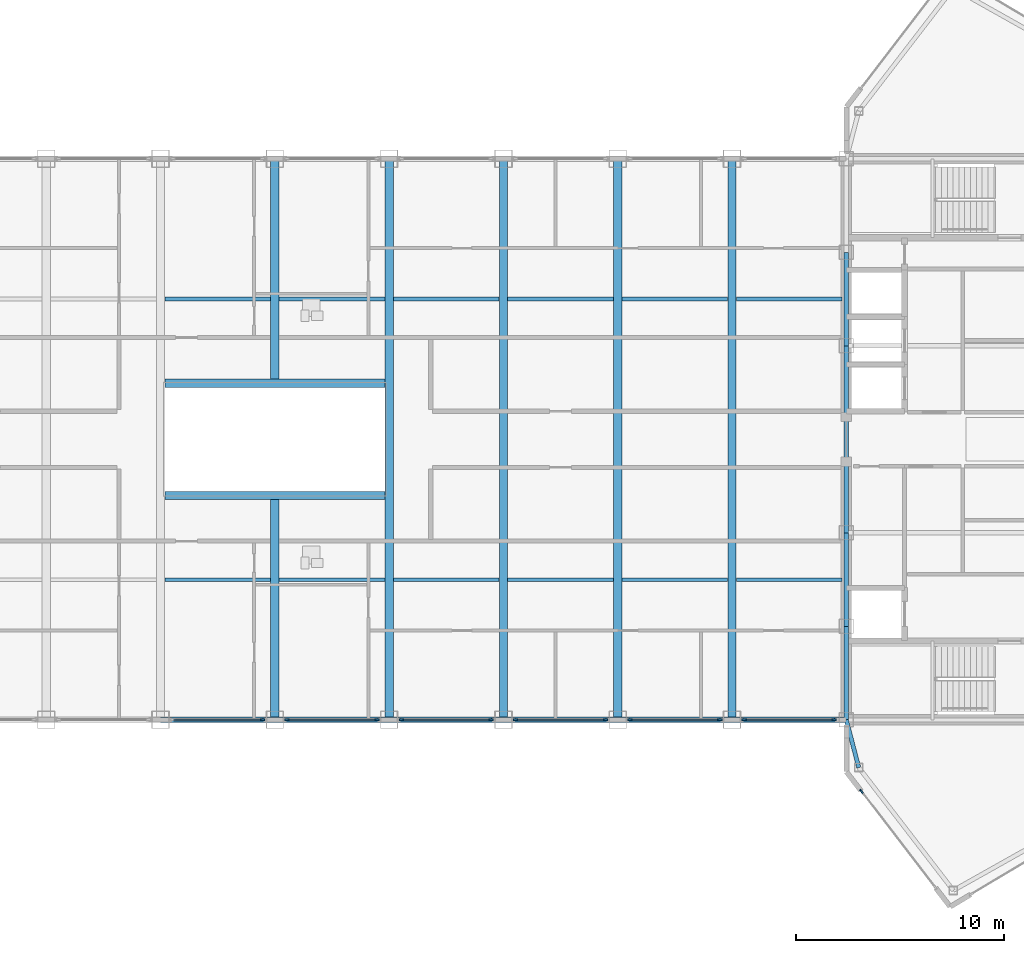
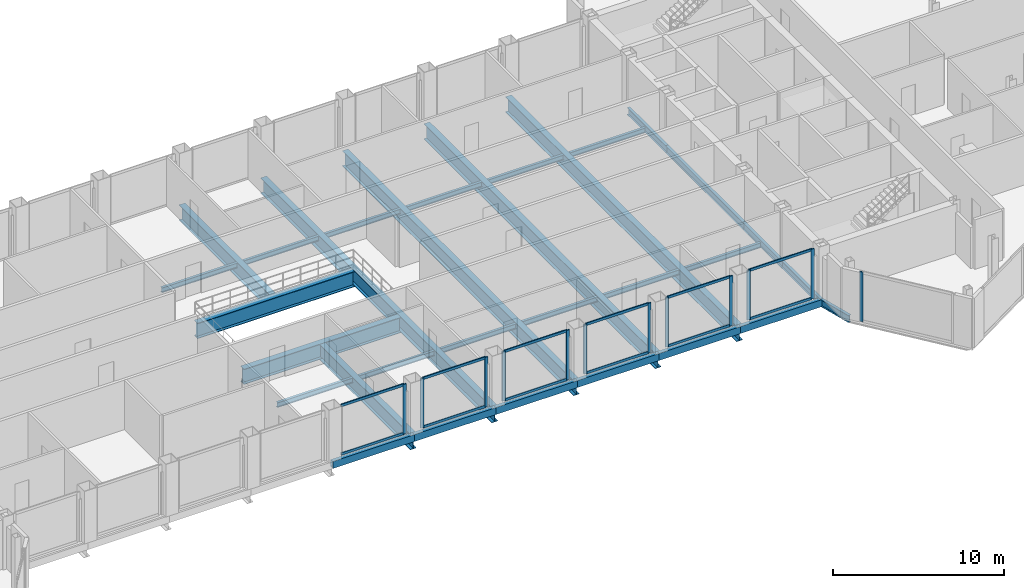
# One storey, part 13 of 29: 31 beams, 24 members, 7 elements without a shape of their own.
"""IFC4 building model written with IfcOpenShell, lengths in metres."""

from ifc_helpers import new_model, si_unit, direction, frame, origin, origin_2d, place, context, subcontext, project, spatial, rectangle, hollow_rectangle, i_section, extrude, source, transform, mapped, material, layer, layer_set, material_profile, profile_set, type_object, type_shapes, element, aggregate, save


model = new_model("IFC4")

# Units and contexts
model_context = context("Model", 3, precision=1e-05, world=origin(), true_north=direction((0.0, 1.0)))
body_context = subcontext(model_context, "Body", "Model", "MODEL_VIEW")
ifc_project = project(units=[si_unit("LENGTHUNIT", "METRE"), si_unit("AREAUNIT", "SQUARE_METRE"), si_unit("VOLUMEUNIT", "CUBIC_METRE"), si_unit("PLANEANGLEUNIT", "RADIAN"), si_unit("MASSUNIT", "GRAM", prefix="KILO")], contexts=[model_context])

# Site, building, storey
site_placement = place(None, origin())
site = spatial("IfcSite", under=ifc_project, at=site_placement, CompositionType="ELEMENT")
building_placement = place(site_placement, origin())
building = spatial("IfcBuilding", under=site, at=building_placement, Name="Seokmaru Belvedere", CompositionType="ELEMENT")
storey_placement = place(building_placement, frame((0.0, 0.0, 258.14990234375)))
storey = spatial("IfcBuildingStorey", under=building, at=storey_placement, Name="L68", CompositionType="ELEMENT", Elevation=258.14990234375)

# Beams
ifc_material_1 = material(Name="Steel SM355 (355 MPa)", Category="steel")
ifc_material_profile_1 = material_profile(ifc_material_1, i_section(OverallWidth=0.199951171875, OverallDepth=0.5, WebThickness=0.010009765625, FlangeThickness=0.01611328125, at=origin_2d()), Name="H-500x200x10x16")
ifc_profile_set_1 = profile_set([ifc_material_profile_1], Name="Steel SM355 (355 MPa)")
beam_type_1 = type_object("IfcBeamType", Name="Perimeter Spandrel Beam H-500", PredefinedType="SPANDREL", material=ifc_profile_set_1)
shared_shape_1 = source(origin(), body_context, "Body", "SweptSolid", [
    extrude(i_section(OverallWidth=0.199951171875, OverallDepth=0.5, WebThickness=0.010009765625, FlangeThickness=0.01611328125, at=origin_2d()), origin(), (0.0, 0.0, 1.0), 4.5),
])
for number, where, z_axis, x_axis, name in (
    (1, (27.5, -13.5, -0.469970703125), (0.0, 1.0, 0.0), (-1.0, 0.0, 0.0), "L68 E Portal Spine Spandrel 1"),
    (2, (27.5, -9.0, -0.469970703125), (0.0, 1.0, 0.0), (-1.0, 0.0, 0.0), "L68 E Portal Spine Spandrel 2"),
    (3, (27.5, 4.5, -0.469970703125), (0.0, 1.0, 0.0), (-1.0, 0.0, 0.0), "L68 E Portal Spine Spandrel 4"),
):
    element("IfcBeam", number, at=place(storey_placement, frame(where, z_axis=z_axis, x_axis=x_axis)), inside=storey, type_object=beam_type_1, Name=name, PredefinedType="SPANDREL", context=body_context, shape_type="MappedRepresentation", body=[
        mapped(shared_shape_1, transform((0.0, 0.0, 0.0), scale=1.0)),
    ])
shared_shape_2 = source(origin(), body_context, "Body", "SweptSolid", [
    extrude(i_section(OverallWidth=0.199951171875, OverallDepth=0.5, WebThickness=0.010009765625, FlangeThickness=0.01611328125, at=origin_2d()), origin(), (0.0, 0.0, 1.0), 9.0),
])
beam_1_placement = place(storey_placement, frame((27.5, -4.5, -0.469970703125), z_axis=(0.0, 1.0, 0.0), x_axis=(-1.0, 0.0, 0.0)))
element("IfcBeam", 4, at=beam_1_placement, inside=storey, type_object=beam_type_1, Name="L68 E Portal Spine Spandrel 3", PredefinedType="SPANDREL", context=body_context, shape_type="MappedRepresentation", body=[
    mapped(shared_shape_2, transform((0.0, 0.0, 0.0), scale=1.0)),
])
shared_shape_3 = source(origin(), body_context, "Body", "SweptSolid", [
    extrude(i_section(OverallWidth=0.199951171875, OverallDepth=0.5, WebThickness=0.010009765625, FlangeThickness=0.01611328125, at=origin_2d()), origin(), (0.0, 0.0, 1.0), 2.373046875),
])
type_shapes(beam_type_1, [shared_shape_1, shared_shape_2, shared_shape_3])
beam_2_placement = place(storey_placement, frame((28.10009765625, -15.7958984375, -0.469970703125), z_axis=(-0.252882558842, 0.967496982648, 0.0), x_axis=(-0.967496982648, -0.252882558842, 0.0)))
element("IfcBeam", 5, at=beam_2_placement, inside=storey, type_object=beam_type_1, Name="L68 E Shoulder Spine Spandrel S", PredefinedType="SPANDREL", context=body_context, shape_type="MappedRepresentation", body=[
    mapped(shared_shape_3, transform((0.0, 0.0, 0.0), scale=1.0)),
])
ifc_material_profile_2 = material_profile(ifc_material_1, i_section(OverallWidth=0.39990234375, OverallDepth=1.10009765625, WebThickness=0.02001953125, FlangeThickness=0.033935546875, at=origin_2d()), Name="BH-1100x400x20x34")
ifc_profile_set_2 = profile_set([ifc_material_profile_2], Name="Steel SM355 (355 MPa)")
beam_type_2 = type_object("IfcBeamType", Name="Sky-Gate Transverse Girder BH-1100", PredefinedType="BEAM", material=ifc_profile_set_2)
shared_shape_4 = source(origin(), body_context, "Body", "SweptSolid", [
    extrude(i_section(OverallWidth=0.39990234375, OverallDepth=1.10009765625, WebThickness=0.02001953125, FlangeThickness=0.033935546875, at=origin_2d()), origin(), (0.0, 0.0, 1.0), 27.0),
])
for number, where, z_axis, x_axis, name in (
    (6, (5.5, -13.5, -0.77001953125), (0.0, 1.0, 0.0), (-1.0, 0.0, 0.0), "L68 Sky-Gate Transverse Girder 06"),
    (7, (11.0, -13.5, -0.77001953125), (0.0, 1.0, 0.0), (-1.0, 0.0, 0.0), "L68 Sky-Gate Transverse Girder 07"),
    (8, (16.5, -13.5, -0.77001953125), (0.0, 1.0, 0.0), (-1.0, 0.0, 0.0), "L68 Sky-Gate Transverse Girder 08"),
    (9, (22.0, -13.5, -0.77001953125), (0.0, 1.0, 0.0), (-1.0, 0.0, 0.0), "L68 Sky-Gate Transverse Girder 09"),
):
    element("IfcBeam", number, at=place(storey_placement, frame(where, z_axis=z_axis, x_axis=x_axis)), inside=storey, type_object=beam_type_2, Name=name, PredefinedType="BEAM", context=body_context, shape_type="MappedRepresentation", body=[
        mapped(shared_shape_4, transform((0.0, 0.0, 0.0), scale=1.0)),
    ])
ifc_material_profile_3 = material_profile(ifc_material_1, i_section(OverallWidth=0.175048828125, OverallDepth=0.35009765625, WebThickness=0.007080078125, FlangeThickness=0.010986328125, at=origin_2d()), Name="H-350x175x7x11")
ifc_profile_set_3 = profile_set([ifc_material_profile_3], Name="Steel SM355 (355 MPa)")
beam_type_3 = type_object("IfcBeamType", Name="Secondary Floor Joist H-300", PredefinedType="JOIST", material=ifc_profile_set_3)
shared_shape_5 = source(origin(), body_context, "Body", "SweptSolid", [
    extrude(i_section(OverallWidth=0.175048828125, OverallDepth=0.35009765625, WebThickness=0.007080078125, FlangeThickness=0.010986328125, at=origin_2d()), origin(), (0.0, 0.0, 1.0), 5.08984375),
])
type_shapes(beam_type_3, [shared_shape_5])
for number, where, z_axis, x_axis, name in (
    (10, (-5.294921875, -6.75, -0.39501953125), (1.0, 0.0, 0.0), (0.0, 1.0, 0.0), "L68 Sky-Gate Secondary Joist S-05"),
    (11, (0.205078125, -6.75, -0.39501953125), (1.0, 0.0, 0.0), (0.0, 1.0, 0.0), "L68 Sky-Gate Secondary Joist S-06"),
    (12, (5.705078125, -6.75, -0.39501953125), (1.0, 0.0, 0.0), (0.0, 1.0, 0.0), "L68 Sky-Gate Secondary Joist S-07"),
    (13, (11.205078125, -6.75, -0.39501953125), (1.0, 0.0, 0.0), (0.0, 1.0, 0.0), "L68 Sky-Gate Secondary Joist S-08"),
    (14, (16.705078125, -6.75, -0.39501953125), (1.0, 0.0, 0.0), (0.0, 1.0, 0.0), "L68 Sky-Gate Secondary Joist S-09"),
    (15, (22.205078125, -6.75, -0.39501953125), (1.0, 0.0, 0.0), (0.0, 1.0, 0.0), "L68 Sky-Gate Secondary Joist S-10"),
    (16, (-5.294921875, 6.75, -0.39501953125), (1.0, 0.0, 0.0), (0.0, 1.0, 0.0), "L68 Sky-Gate Secondary Joist N-05"),
    (17, (0.205078125, 6.75, -0.39501953125), (1.0, 0.0, 0.0), (0.0, 1.0, 0.0), "L68 Sky-Gate Secondary Joist N-06"),
    (18, (5.705078125, 6.75, -0.39501953125), (1.0, 0.0, 0.0), (0.0, 1.0, 0.0), "L68 Sky-Gate Secondary Joist N-07"),
    (19, (11.205078125, 6.75, -0.39501953125), (1.0, 0.0, 0.0), (0.0, 1.0, 0.0), "L68 Sky-Gate Secondary Joist N-08"),
    (20, (16.705078125, 6.75, -0.39501953125), (1.0, 0.0, 0.0), (0.0, 1.0, 0.0), "L68 Sky-Gate Secondary Joist N-09"),
    (21, (22.205078125, 6.75, -0.39501953125), (1.0, 0.0, 0.0), (0.0, 1.0, 0.0), "L68 Sky-Gate Secondary Joist N-10"),
):
    element("IfcBeam", number, at=place(storey_placement, frame(where, z_axis=z_axis, x_axis=x_axis)), inside=storey, type_object=beam_type_3, Name=name, PredefinedType="JOIST", context=body_context, shape_type="MappedRepresentation", body=[
        mapped(shared_shape_5, transform((0.0, 0.0, 0.0), scale=1.0)),
    ])
shared_shape_6 = source(origin(), body_context, "Body", "SweptSolid", [
    extrude(i_section(OverallWidth=0.39990234375, OverallDepth=1.10009765625, WebThickness=0.02001953125, FlangeThickness=0.033935546875, at=origin_2d()), origin(), (0.0, 0.0, 1.0), 10.58984375),
])
for number, where, z_axis, x_axis, name in (
    (22, (-5.294921875, -2.699951171875, -0.77001953125), (1.0, 0.0, 0.0), (0.0, 1.0, 0.0), "L68 Sky-Gate Atrium Header Girder S"),
    (23, (-5.294921875, 2.699951171875, -0.77001953125), (1.0, 0.0, 0.0), (0.0, 1.0, 0.0), "L68 Sky-Gate Atrium Header Girder N"),
):
    element("IfcBeam", number, at=place(storey_placement, frame(where, z_axis=z_axis, x_axis=x_axis)), inside=storey, type_object=beam_type_2, Name=name, PredefinedType="BEAM", context=body_context, shape_type="MappedRepresentation", body=[
        mapped(shared_shape_6, transform((0.0, 0.0, 0.0), scale=1.0)),
    ])
ifc_material_profile_4 = material_profile(ifc_material_1, hollow_rectangle(XDim=0.25, YDim=0.5, WallThickness=0.013916015625, at=origin_2d()), Name="RHS-500x250x14")
ifc_profile_set_4 = profile_set([ifc_material_profile_4], Name="Steel SM355 (355 MPa)")
beam_type_4 = type_object("IfcBeamType", Name="Bridge Edge Spandrel RHS-500", PredefinedType="SPANDREL", material=ifc_profile_set_4)
shared_shape_7 = source(origin(), body_context, "Body", "SweptSolid", [
    extrude(hollow_rectangle(XDim=0.25, YDim=0.5, WallThickness=0.013916015625, at=origin_2d()), origin(), (0.0, 0.0, 1.0), 5.5),
])
type_shapes(beam_type_4, [shared_shape_7])
for number, where, z_axis, x_axis, name in (
    (24, (-5.5, -13.5, -0.469970703125), (1.0, 0.0, 0.0), (0.0, 1.0, 0.0), "L68 Sky-Gate Bridge Edge Girder S-05"),
    (25, (0.0, -13.5, -0.469970703125), (1.0, 0.0, 0.0), (0.0, 1.0, 0.0), "L68 Sky-Gate Bridge Edge Girder S-06"),
    (26, (5.5, -13.5, -0.469970703125), (1.0, 0.0, 0.0), (0.0, 1.0, 0.0), "L68 Sky-Gate Bridge Edge Girder S-07"),
    (27, (11.0, -13.5, -0.469970703125), (1.0, 0.0, 0.0), (0.0, 1.0, 0.0), "L68 Sky-Gate Bridge Edge Girder S-08"),
    (28, (16.5, -13.5, -0.469970703125), (1.0, 0.0, 0.0), (0.0, 1.0, 0.0), "L68 Sky-Gate Bridge Edge Girder S-09"),
    (29, (22.0, -13.5, -0.469970703125), (1.0, 0.0, 0.0), (0.0, 1.0, 0.0), "L68 Sky-Gate Bridge Edge Girder S-10"),
):
    element("IfcBeam", number, at=place(storey_placement, frame(where, z_axis=z_axis, x_axis=x_axis)), inside=storey, type_object=beam_type_4, Name=name, PredefinedType="SPANDREL", context=body_context, shape_type="MappedRepresentation", body=[
        mapped(shared_shape_7, transform((0.0, 0.0, 0.0), scale=1.0)),
    ])
shared_shape_8 = source(origin(), body_context, "Body", "SweptSolid", [
    extrude(i_section(OverallWidth=0.39990234375, OverallDepth=1.10009765625, WebThickness=0.02001953125, FlangeThickness=0.033935546875, at=origin_2d()), origin(), (0.0, 0.0, 1.0), 10.800048828125),
])
type_shapes(beam_type_2, [shared_shape_4, shared_shape_6, shared_shape_8])
for number, where, z_axis, x_axis, name in (
    (30, (0.0, -13.5, -0.77001953125), (0.0, 1.0, 0.0), (-1.0, 0.0, 0.0), "L68 Sky-Gate Trimmed Girder 5S"),
    (31, (0.0, 2.699951171875, -0.77001953125), (0.0, 1.0, 0.0), (-1.0, 0.0, 0.0), "L68 Sky-Gate Trimmed Girder 5N"),
):
    element("IfcBeam", number, at=place(storey_placement, frame(where, z_axis=z_axis, x_axis=x_axis)), inside=storey, type_object=beam_type_2, Name=name, PredefinedType="BEAM", context=body_context, shape_type="MappedRepresentation", body=[
        mapped(shared_shape_8, transform((0.0, 0.0, 0.0), scale=1.0)),
    ])

# Curtain wall, members
ifc_material_2 = material(Name="Bronze Triple Insulating Glass", Category="glass")
ifc_layer = layer(ifc_material_2, 0.219970703125)
ifc_layer_set = layer_set([ifc_layer], Name="Bronze Triple Insulating Glass")
curtain_wall_type = type_object("IfcCurtainWallType", Name="Sky-Gate Bridge Panorama Curtain Wall System CW-6", PredefinedType="NOTDEFINED", material=ifc_layer_set)
curtain_wall_1_placement = place(storey_placement, origin())
curtain_wall_1 = element("IfcCurtainWall", 32, at=curtain_wall_1_placement, inside=storey, type_object=curtain_wall_type, Name="L68 Curtain Wall BR_S05", PredefinedType="NOTDEFINED")
ifc_material_3 = material(Name="Anodised Bronze Aluminium", Category="aluminium")
ifc_material_profile_5 = material_profile(ifc_material_3, rectangle(XDim=0.074951171875, YDim=0.179931640625, at=origin_2d()), Name="CW-T-75x180")
ifc_profile_set_5 = profile_set([ifc_material_profile_5], Name="Anodised Bronze Aluminium")
member_type_1 = type_object("IfcMemberType", Name="Bronze Unitised Transom 75x180", PredefinedType="USERDEFINED", material=ifc_profile_set_5)
shared_shape_9 = source(origin(), body_context, "Body", "SweptSolid", [
    extrude(rectangle(XDim=0.074951171875, YDim=0.179931640625, at=origin_2d()), origin(), (0.0, 0.0, 1.0), 4.240234375),
])
type_shapes(member_type_1, [shared_shape_9])
member_1_placement = place(storey_placement, frame((-4.8701171875, -13.5, 0.03759765625), z_axis=(1.0, 0.0, 0.0), x_axis=(0.0, 1.0, 0.0)))
member_1 = element("IfcMember", 33, at=member_1_placement, type_object=member_type_1, Name="CW:L68:BR_S05 Continuous Transom 1", ObjectType="TRANSOM", PredefinedType="USERDEFINED", context=body_context, shape_type="MappedRepresentation", body=[
    mapped(shared_shape_9, transform((0.0, 0.0, 0.0), scale=1.0)),
])
member_2_placement = place(storey_placement, frame((-4.8701171875, -13.5, 3.49267578125), z_axis=(1.0, 0.0, 0.0), x_axis=(0.0, 1.0, 0.0)))
member_2 = element("IfcMember", 34, at=member_2_placement, type_object=member_type_1, Name="CW:L68:BR_S05 Continuous Transom 2", ObjectType="TRANSOM", PredefinedType="USERDEFINED", context=body_context, shape_type="MappedRepresentation", body=[
    mapped(shared_shape_9, transform((0.0, 0.0, 0.0), scale=1.0)),
])

curtain_wall_2_placement = place(storey_placement, origin())
curtain_wall_2 = element("IfcCurtainWall", 35, at=curtain_wall_2_placement, inside=storey, type_object=curtain_wall_type, Name="L68 Curtain Wall BR_S06", PredefinedType="NOTDEFINED")
member_3_placement = place(storey_placement, frame((0.6298828125, -13.5, 0.03759765625), z_axis=(1.0, 0.0, 0.0), x_axis=(0.0, 1.0, 0.0)))
member_3 = element("IfcMember", 36, at=member_3_placement, type_object=member_type_1, Name="CW:L68:BR_S06 Continuous Transom 1", ObjectType="TRANSOM", PredefinedType="USERDEFINED", context=body_context, shape_type="MappedRepresentation", body=[
    mapped(shared_shape_9, transform((0.0, 0.0, 0.0), scale=1.0)),
])
member_4_placement = place(storey_placement, frame((0.6298828125, -13.5, 3.49267578125), z_axis=(1.0, 0.0, 0.0), x_axis=(0.0, 1.0, 0.0)))
member_4 = element("IfcMember", 37, at=member_4_placement, type_object=member_type_1, Name="CW:L68:BR_S06 Continuous Transom 2", ObjectType="TRANSOM", PredefinedType="USERDEFINED", context=body_context, shape_type="MappedRepresentation", body=[
    mapped(shared_shape_9, transform((0.0, 0.0, 0.0), scale=1.0)),
])

curtain_wall_3_placement = place(storey_placement, origin())
curtain_wall_3 = element("IfcCurtainWall", 38, at=curtain_wall_3_placement, inside=storey, type_object=curtain_wall_type, Name="L68 Curtain Wall BR_S07", PredefinedType="NOTDEFINED")
member_5_placement = place(storey_placement, frame((6.1298828125, -13.5, 0.03759765625), z_axis=(1.0, 0.0, 0.0), x_axis=(0.0, 1.0, 0.0)))
member_5 = element("IfcMember", 39, at=member_5_placement, type_object=member_type_1, Name="CW:L68:BR_S07 Continuous Transom 1", ObjectType="TRANSOM", PredefinedType="USERDEFINED", context=body_context, shape_type="MappedRepresentation", body=[
    mapped(shared_shape_9, transform((0.0, 0.0, 0.0), scale=1.0)),
])
member_6_placement = place(storey_placement, frame((6.1298828125, -13.5, 3.49267578125), z_axis=(1.0, 0.0, 0.0), x_axis=(0.0, 1.0, 0.0)))
member_6 = element("IfcMember", 40, at=member_6_placement, type_object=member_type_1, Name="CW:L68:BR_S07 Continuous Transom 2", ObjectType="TRANSOM", PredefinedType="USERDEFINED", context=body_context, shape_type="MappedRepresentation", body=[
    mapped(shared_shape_9, transform((0.0, 0.0, 0.0), scale=1.0)),
])

curtain_wall_4_placement = place(storey_placement, origin())
curtain_wall_4 = element("IfcCurtainWall", 41, at=curtain_wall_4_placement, inside=storey, type_object=curtain_wall_type, Name="L68 Curtain Wall BR_S08", PredefinedType="NOTDEFINED")
member_7_placement = place(storey_placement, frame((11.6298828125, -13.5, 0.03759765625), z_axis=(1.0, 0.0, 0.0), x_axis=(0.0, 1.0, 0.0)))
member_7 = element("IfcMember", 42, at=member_7_placement, type_object=member_type_1, Name="CW:L68:BR_S08 Continuous Transom 1", ObjectType="TRANSOM", PredefinedType="USERDEFINED", context=body_context, shape_type="MappedRepresentation", body=[
    mapped(shared_shape_9, transform((0.0, 0.0, 0.0), scale=1.0)),
])
member_8_placement = place(storey_placement, frame((11.6298828125, -13.5, 3.49267578125), z_axis=(1.0, 0.0, 0.0), x_axis=(0.0, 1.0, 0.0)))
member_8 = element("IfcMember", 43, at=member_8_placement, type_object=member_type_1, Name="CW:L68:BR_S08 Continuous Transom 2", ObjectType="TRANSOM", PredefinedType="USERDEFINED", context=body_context, shape_type="MappedRepresentation", body=[
    mapped(shared_shape_9, transform((0.0, 0.0, 0.0), scale=1.0)),
])

curtain_wall_5_placement = place(storey_placement, origin())
curtain_wall_5 = element("IfcCurtainWall", 44, at=curtain_wall_5_placement, inside=storey, type_object=curtain_wall_type, Name="L68 Curtain Wall BR_S09", PredefinedType="NOTDEFINED")
member_9_placement = place(storey_placement, frame((17.1298828125, -13.5, 0.03759765625), z_axis=(1.0, 0.0, 0.0), x_axis=(0.0, 1.0, 0.0)))
member_9 = element("IfcMember", 45, at=member_9_placement, type_object=member_type_1, Name="CW:L68:BR_S09 Continuous Transom 1", ObjectType="TRANSOM", PredefinedType="USERDEFINED", context=body_context, shape_type="MappedRepresentation", body=[
    mapped(shared_shape_9, transform((0.0, 0.0, 0.0), scale=1.0)),
])
member_10_placement = place(storey_placement, frame((17.1298828125, -13.5, 3.49267578125), z_axis=(1.0, 0.0, 0.0), x_axis=(0.0, 1.0, 0.0)))
member_10 = element("IfcMember", 46, at=member_10_placement, type_object=member_type_1, Name="CW:L68:BR_S09 Continuous Transom 2", ObjectType="TRANSOM", PredefinedType="USERDEFINED", context=body_context, shape_type="MappedRepresentation", body=[
    mapped(shared_shape_9, transform((0.0, 0.0, 0.0), scale=1.0)),
])

curtain_wall_6_placement = place(storey_placement, origin())
curtain_wall_6 = element("IfcCurtainWall", 47, at=curtain_wall_6_placement, inside=storey, type_object=curtain_wall_type, Name="L68 Curtain Wall BR_S10", PredefinedType="NOTDEFINED")
member_11_placement = place(storey_placement, frame((22.6298828125, -13.5, 0.03759765625), z_axis=(1.0, 0.0, 0.0), x_axis=(0.0, 1.0, 0.0)))
member_11 = element("IfcMember", 48, at=member_11_placement, type_object=member_type_1, Name="CW:L68:BR_S10 Continuous Transom 1", ObjectType="TRANSOM", PredefinedType="USERDEFINED", context=body_context, shape_type="MappedRepresentation", body=[
    mapped(shared_shape_9, transform((0.0, 0.0, 0.0), scale=1.0)),
])
member_12_placement = place(storey_placement, frame((22.6298828125, -13.5, 3.49267578125), z_axis=(1.0, 0.0, 0.0), x_axis=(0.0, 1.0, 0.0)))
member_12 = element("IfcMember", 49, at=member_12_placement, type_object=member_type_1, Name="CW:L68:BR_S10 Continuous Transom 2", ObjectType="TRANSOM", PredefinedType="USERDEFINED", context=body_context, shape_type="MappedRepresentation", body=[
    mapped(shared_shape_9, transform((0.0, 0.0, 0.0), scale=1.0)),
])

# Curtain wall, member
curtain_wall_7_placement = place(storey_placement, origin())
curtain_wall_7 = element("IfcCurtainWall", 50, at=curtain_wall_7_placement, inside=storey, type_object=curtain_wall_type, Name="L68 Curtain Wall EF6", PredefinedType="NOTDEFINED")
ifc_material_profile_6 = material_profile(ifc_material_3, rectangle(XDim=0.080078125, YDim=0.219970703125, at=origin_2d()), Name="CW-M-80x220")
ifc_profile_set_6 = profile_set([ifc_material_profile_6], Name="Anodised Bronze Aluminium")
member_type_2 = type_object("IfcMemberType", Name="Bronze Unitised Mullion 80x220", PredefinedType="MULLION", material=ifc_profile_set_6)
shared_shape_10 = source(origin(), body_context, "Body", "SweptSolid", [
    extrude(rectangle(XDim=0.080078125, YDim=0.219970703125, at=origin_2d()), origin(), (0.0, 0.0, 1.0), 3.530029296875),
])
type_shapes(member_type_2, [shared_shape_10])
member_13_placement = place(storey_placement, frame((28.2255859375, -16.943115234375, 0.0), z_axis=(0.0, 0.0, 1.0), x_axis=(0.792631353244, 0.609701187349, 0.0)))
member_13 = element("IfcMember", 51, at=member_13_placement, type_object=member_type_2, Name="CW:L68:EF6 Mullion 1", PredefinedType="MULLION", context=body_context, shape_type="MappedRepresentation", body=[
    mapped(shared_shape_10, transform((0.0, 0.0, 0.0), scale=1.0)),
])
aggregate(curtain_wall_7, [member_13])

# Member
member_14_placement = place(storey_placement, frame((-0.590087890625, -13.5, 0.0), z_axis=(0.0, 0.0, 1.0), x_axis=(0.0, 1.0, 0.0)))
member_14 = element("IfcMember", 52, at=member_14_placement, type_object=member_type_2, Name="CW:L68:BR_S05 Mullion 2", PredefinedType="MULLION", context=body_context, shape_type="MappedRepresentation", body=[
    mapped(shared_shape_10, transform((0.0, 0.0, 0.0), scale=1.0)),
])

aggregate(curtain_wall_1, [member_14, member_1, member_2])

member_15_placement = place(storey_placement, frame((0.590087890625, -13.5, 0.0), z_axis=(0.0, 0.0, 1.0), x_axis=(0.0, 1.0, 0.0)))
member_15 = element("IfcMember", 53, at=member_15_placement, type_object=member_type_2, Name="CW:L68:BR_S06 Mullion 1", PredefinedType="MULLION", context=body_context, shape_type="MappedRepresentation", body=[
    mapped(shared_shape_10, transform((0.0, 0.0, 0.0), scale=1.0)),
])

member_16_placement = place(storey_placement, frame((4.909912109375, -13.5, 0.0), z_axis=(0.0, 0.0, 1.0), x_axis=(0.0, 1.0, 0.0)))
member_16 = element("IfcMember", 54, at=member_16_placement, type_object=member_type_2, Name="CW:L68:BR_S06 Mullion 2", PredefinedType="MULLION", context=body_context, shape_type="MappedRepresentation", body=[
    mapped(shared_shape_10, transform((0.0, 0.0, 0.0), scale=1.0)),
])

aggregate(curtain_wall_2, [member_15, member_16, member_3, member_4])

member_17_placement = place(storey_placement, frame((6.090087890625, -13.5, 0.0), z_axis=(0.0, 0.0, 1.0), x_axis=(0.0, 1.0, 0.0)))
member_17 = element("IfcMember", 55, at=member_17_placement, type_object=member_type_2, Name="CW:L68:BR_S07 Mullion 1", PredefinedType="MULLION", context=body_context, shape_type="MappedRepresentation", body=[
    mapped(shared_shape_10, transform((0.0, 0.0, 0.0), scale=1.0)),
])

member_18_placement = place(storey_placement, frame((10.409912109375, -13.5, 0.0), z_axis=(0.0, 0.0, 1.0), x_axis=(0.0, 1.0, 0.0)))
member_18 = element("IfcMember", 56, at=member_18_placement, type_object=member_type_2, Name="CW:L68:BR_S07 Mullion 2", PredefinedType="MULLION", context=body_context, shape_type="MappedRepresentation", body=[
    mapped(shared_shape_10, transform((0.0, 0.0, 0.0), scale=1.0)),
])

aggregate(curtain_wall_3, [member_17, member_18, member_5, member_6])

member_19_placement = place(storey_placement, frame((11.590087890625, -13.5, 0.0), z_axis=(0.0, 0.0, 1.0), x_axis=(0.0, 1.0, 0.0)))
member_19 = element("IfcMember", 57, at=member_19_placement, type_object=member_type_2, Name="CW:L68:BR_S08 Mullion 1", PredefinedType="MULLION", context=body_context, shape_type="MappedRepresentation", body=[
    mapped(shared_shape_10, transform((0.0, 0.0, 0.0), scale=1.0)),
])

member_20_placement = place(storey_placement, frame((15.909912109375, -13.5, 0.0), z_axis=(0.0, 0.0, 1.0), x_axis=(0.0, 1.0, 0.0)))
member_20 = element("IfcMember", 58, at=member_20_placement, type_object=member_type_2, Name="CW:L68:BR_S08 Mullion 2", PredefinedType="MULLION", context=body_context, shape_type="MappedRepresentation", body=[
    mapped(shared_shape_10, transform((0.0, 0.0, 0.0), scale=1.0)),
])

aggregate(curtain_wall_4, [member_19, member_20, member_7, member_8])

member_21_placement = place(storey_placement, frame((17.090087890625, -13.5, 0.0), z_axis=(0.0, 0.0, 1.0), x_axis=(0.0, 1.0, 0.0)))
member_21 = element("IfcMember", 59, at=member_21_placement, type_object=member_type_2, Name="CW:L68:BR_S09 Mullion 1", PredefinedType="MULLION", context=body_context, shape_type="MappedRepresentation", body=[
    mapped(shared_shape_10, transform((0.0, 0.0, 0.0), scale=1.0)),
])

member_22_placement = place(storey_placement, frame((21.409912109375, -13.5, 0.0), z_axis=(0.0, 0.0, 1.0), x_axis=(0.0, 1.0, 0.0)))
member_22 = element("IfcMember", 60, at=member_22_placement, type_object=member_type_2, Name="CW:L68:BR_S09 Mullion 2", PredefinedType="MULLION", context=body_context, shape_type="MappedRepresentation", body=[
    mapped(shared_shape_10, transform((0.0, 0.0, 0.0), scale=1.0)),
])

aggregate(curtain_wall_5, [member_21, member_22, member_9, member_10])

member_23_placement = place(storey_placement, frame((22.590087890625, -13.5, 0.0), z_axis=(0.0, 0.0, 1.0), x_axis=(0.0, 1.0, 0.0)))
member_23 = element("IfcMember", 61, at=member_23_placement, type_object=member_type_2, Name="CW:L68:BR_S10 Mullion 1", PredefinedType="MULLION", context=body_context, shape_type="MappedRepresentation", body=[
    mapped(shared_shape_10, transform((0.0, 0.0, 0.0), scale=1.0)),
])

member_24_placement = place(storey_placement, frame((26.909912109375, -13.5, 0.0), z_axis=(0.0, 0.0, 1.0), x_axis=(0.0, 1.0, 0.0)))
member_24 = element("IfcMember", 62, at=member_24_placement, type_object=member_type_2, Name="CW:L68:BR_S10 Mullion 2", PredefinedType="MULLION", context=body_context, shape_type="MappedRepresentation", body=[
    mapped(shared_shape_10, transform((0.0, 0.0, 0.0), scale=1.0)),
])

aggregate(curtain_wall_6, [member_23, member_24, member_11, member_12])

save(model, "model.ifc")
